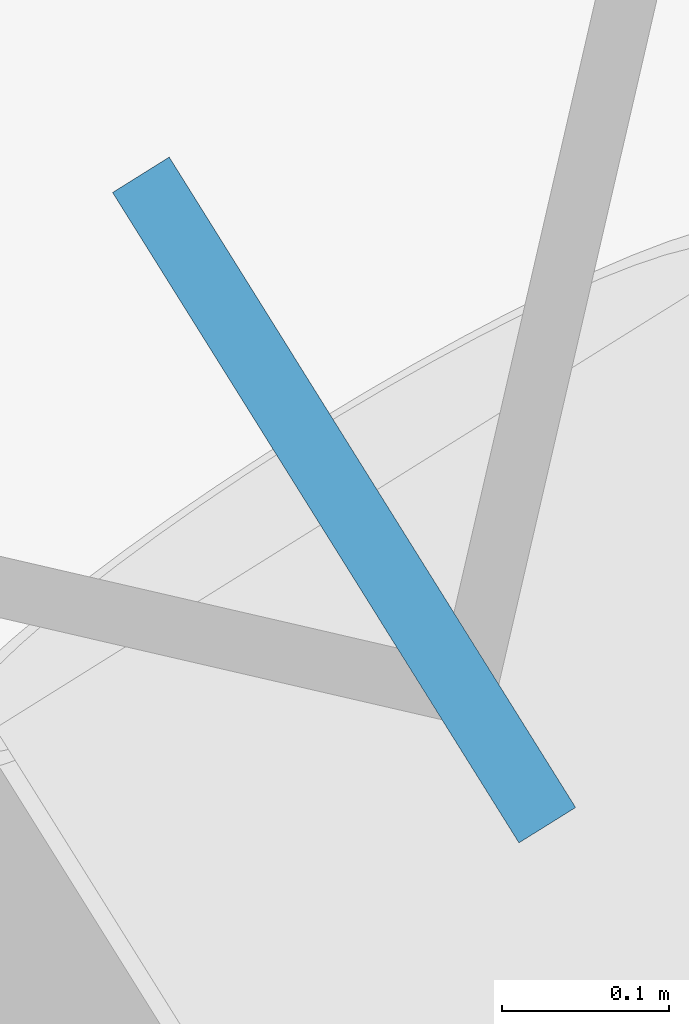
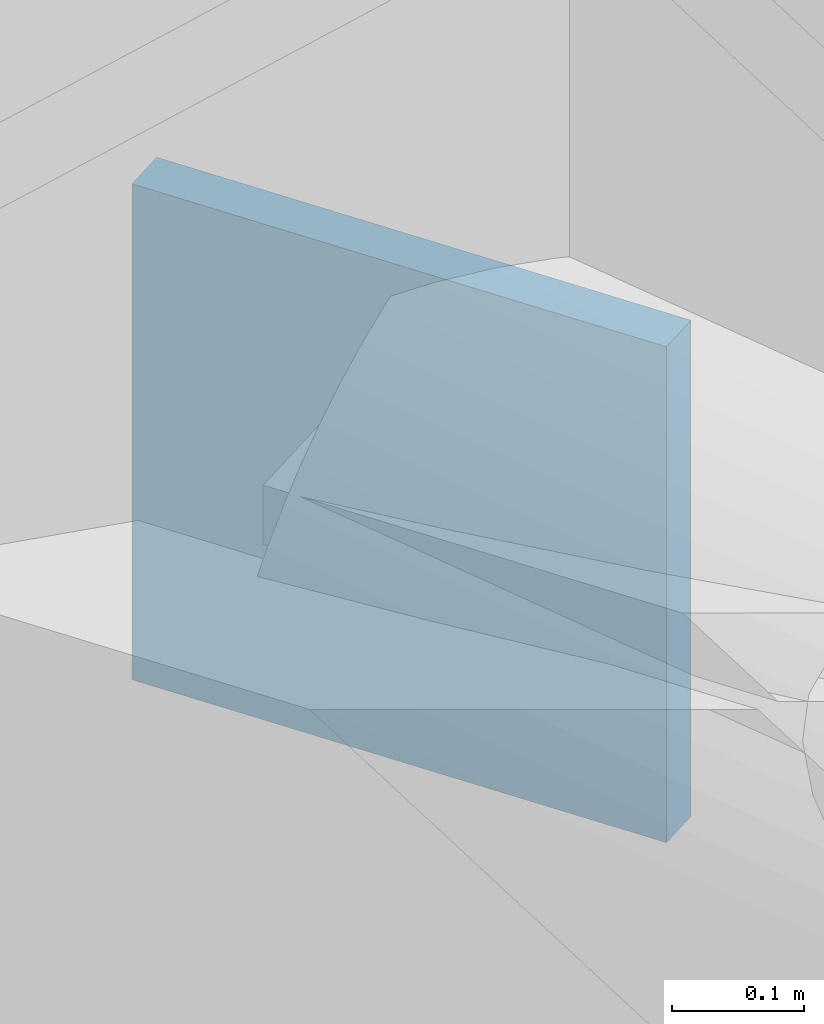
# One storey, part 18 of 20: 1 discrete accessory.
"""IFC4 building model written with IfcOpenShell, lengths in metres."""

from ifc_helpers import new_model, si_unit, direction, frame, origin, origin_2d, place, context, subcontext, project, spatial, rectangle, extrude, material, type_object, element, save


model = new_model("IFC4")

# Units and contexts
model_context = context("Model", 3, precision=1e-05, world=origin(), true_north=direction((0.0, 1.0)))
body_context = subcontext(model_context, "Body", "Model", "MODEL_VIEW")
ifc_project = project(units=[si_unit("LENGTHUNIT", "METRE"), si_unit("AREAUNIT", "SQUARE_METRE"), si_unit("VOLUMEUNIT", "CUBIC_METRE"), si_unit("PLANEANGLEUNIT", "RADIAN"), si_unit("MASSUNIT", "GRAM", prefix="KILO")], contexts=[model_context])

# Site, building, storey
site_placement = place(None, origin())
site = spatial("IfcSite", under=ifc_project, at=site_placement, CompositionType="ELEMENT")
building_placement = place(site_placement, origin())
building = spatial("IfcBuilding", under=site, at=building_placement, Name="Tavrogorsk Clinical Tower", CompositionType="ELEMENT")
storey_placement = place(building_placement, frame((0.0, 0.0, 39.39990234375)))
storey = spatial("IfcBuildingStorey", under=building, at=storey_placement, Name="L07", CompositionType="ELEMENT", Elevation=39.39990234375)

# Discrete accessory
ifc_material = material(Name="Structural steel S440", Category="steel")
discrete_accessory_type = type_object("IfcDiscreteAccessoryType", Name="GussetPlateBracket_25", PredefinedType="BRACKET", material=ifc_material)
discrete_accessory_placement = place(storey_placement, frame((36.664794921875, 14.46435546875, 1.195068359375), z_axis=(0.0, 0.0, 1.0), x_axis=(-0.529919264233, 0.848048096156, 0.0)))
element("IfcDiscreteAccessory", 1, at=discrete_accessory_placement, inside=storey, type_object=discrete_accessory_type, Name="L07 Brace Gusset Plate EXOCRN-L07-2-B", PredefinedType="BRACKET", context=body_context, shape_type="SweptSolid", body=[
    extrude(rectangle(XDim=0.4599609375, YDim=0.0400390625, at=origin_2d()), origin(), (0.0, 0.0, 1.0), 0.4599609375),
])

save(model, "model.ifc")
